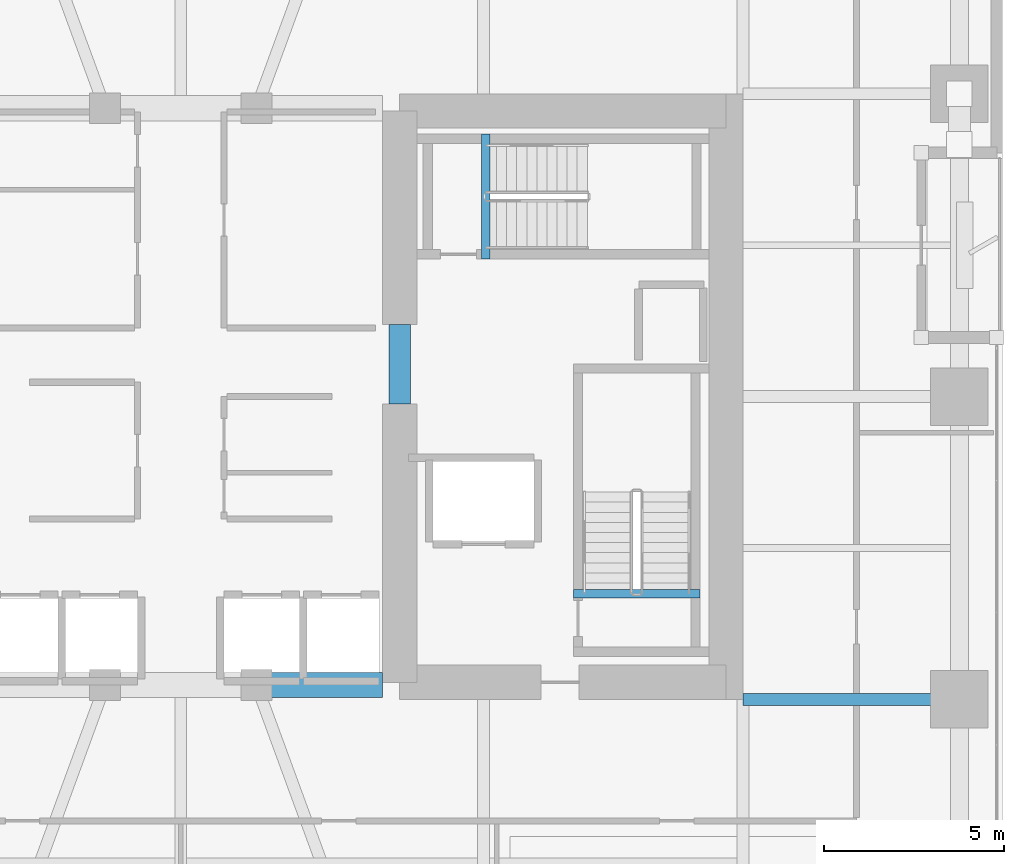
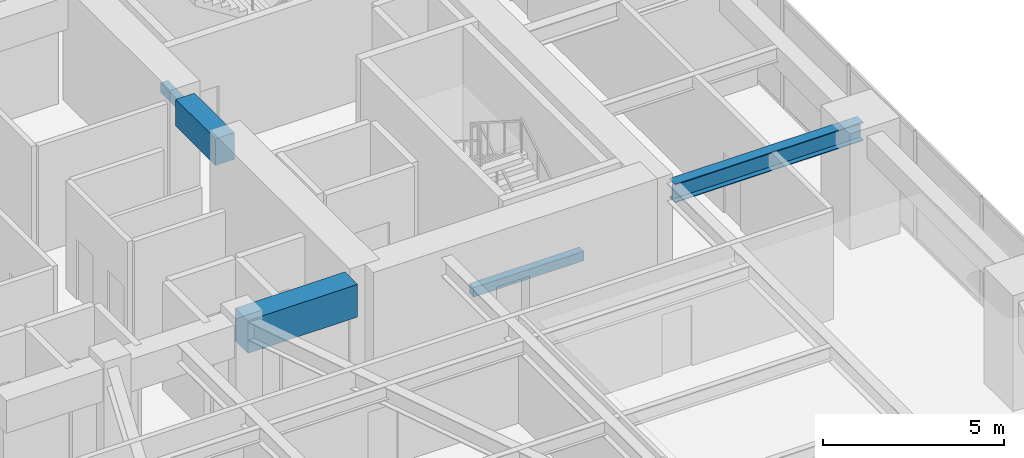
# One storey, part 5 of 24: 5 beams.
"""IFC4 building model written with IfcOpenShell, lengths in metres."""

from ifc_helpers import new_model, si_unit, direction, frame, origin, origin_2d, place, context, subcontext, project, spatial, rectangle, i_section, extrude, material, material_profile, profile_set, type_object, element, save


model = new_model("IFC4")

# Units and contexts
model_context = context("Model", 3, precision=1e-05, world=origin(), true_north=direction((0.0, 1.0)))
body_context = subcontext(model_context, "Body", "Model", "MODEL_VIEW")
ifc_project = project(units=[si_unit("LENGTHUNIT", "METRE"), si_unit("AREAUNIT", "SQUARE_METRE"), si_unit("VOLUMEUNIT", "CUBIC_METRE"), si_unit("PLANEANGLEUNIT", "RADIAN"), si_unit("MASSUNIT", "GRAM", prefix="KILO")], contexts=[model_context])

# Site, building, storey
site_placement = place(None, origin())
site = spatial("IfcSite", under=ifc_project, at=site_placement, CompositionType="ELEMENT")
building_placement = place(site_placement, origin())
building = spatial("IfcBuilding", under=site, at=building_placement, Name="Kiyonajd Concourse Tower", CompositionType="ELEMENT")
storey_placement = place(building_placement, frame((0.0, 0.0, 85.800048828125)))
storey = spatial("IfcBuildingStorey", under=building, at=storey_placement, Name="L22", CompositionType="ELEMENT", Elevation=85.800048828125)

# Beams
ifc_material_1 = material(Name="Concrete C70/85", Category="concrete")
ifc_material_profile_1 = material_profile(ifc_material_1, rectangle(XDim=0.699951171875, YDim=1.10009765625, at=origin_2d()), Name="RCBM-700x1100")
ifc_profile_set_1 = profile_set([ifc_material_profile_1], Name="Concrete C70/85")
beam_type_1 = type_object("IfcBeamType", Name="BM-COUP-1100", PredefinedType="LINTEL", material=ifc_profile_set_1)
beam_1_placement = place(storey_placement, frame((50.10009765625, 28.0, 3.08984375), z_axis=(1.0, 0.0, 0.0), x_axis=(0.0, 1.0, 0.0)))
element("IfcBeam", 1, at=beam_1_placement, inside=storey, type_object=beam_type_1, Name="L22 Core Coupling Beam S3", PredefinedType="LINTEL", context=body_context, shape_type="SweptSolid", body=[
    extrude(rectangle(XDim=0.699951171875, YDim=1.10009765625, at=origin_2d()), origin(), (0.0, 0.0, 1.0), 3.5),
])
ifc_material_2 = material(Name="Concrete C60/75", Category="concrete")
ifc_material_profile_2 = material_profile(ifc_material_2, rectangle(XDim=0.60009765625, YDim=0.89990234375, at=origin_2d()), Name="RCBM-600x900")
ifc_profile_set_2 = profile_set([ifc_material_profile_2], Name="Concrete C60/75")
beam_type_2 = type_object("IfcBeamType", Name="BM-COUP-900", PredefinedType="LINTEL", material=ifc_profile_set_2)
beam_2_placement = place(storey_placement, frame((54.074951171875, 35.800048828125, 3.08984375), z_axis=(0.0, 1.0, 0.0), x_axis=(-1.0, 0.0, 0.0)))
element("IfcBeam", 2, at=beam_2_placement, inside=storey, type_object=beam_type_2, Name="L22 East Core Throat Coupling Lintel", PredefinedType="LINTEL", context=body_context, shape_type="SweptSolid", body=[
    extrude(rectangle(XDim=0.60009765625, YDim=0.89990234375, at=origin_2d()), origin(), (0.0, 0.0, 1.0), 2.199951171875),
])
ifc_material_3 = material(Name="Concrete C50/60", Category="concrete")
ifc_material_profile_3 = material_profile(ifc_material_3, rectangle(XDim=0.239990234375, YDim=0.320068359375, at=origin_2d()), Name="RCBM-240x320")
ifc_profile_set_3 = profile_set([ifc_material_profile_3], Name="Concrete C50/60")
beam_type_3 = type_object("IfcBeamType", Name="BM-LNT-250", PredefinedType="LINTEL", material=ifc_profile_set_3)
beam_3_placement = place(storey_placement, frame((58.889892578125, 30.530029296875, -0.16015625), z_axis=(1.0, 0.0, 0.0), x_axis=(0.0, 1.0, 0.0)))
element("IfcBeam", 3, at=beam_3_placement, inside=storey, type_object=beam_type_3, Name="L22 Stair ST2 Threshold Support Beam", PredefinedType="LINTEL", context=body_context, shape_type="SweptSolid", body=[
    extrude(rectangle(XDim=0.239990234375, YDim=0.320068359375, at=origin_2d()), origin(), (0.0, 0.0, 1.0), 3.52001953125),
])
beam_4_placement = place(storey_placement, frame((56.4599609375, 39.820068359375, -0.16015625), z_axis=(0.0, 1.0, 0.0), x_axis=(-1.0, 0.0, 0.0)))
element("IfcBeam", 4, at=beam_4_placement, inside=storey, type_object=beam_type_3, Name="L22 Stair ST3 Threshold Support Beam", PredefinedType="LINTEL", context=body_context, shape_type="SweptSolid", body=[
    extrude(rectangle(XDim=0.239990234375, YDim=0.320068359375, at=origin_2d()), origin(), (0.0, 0.0, 1.0), 3.4599609375),
])
ifc_material_4 = material(Name="Steel ASTM A992 Grade 50", Category="steel")
ifc_material_profile_4 = material_profile(ifc_material_4, i_section(OverallWidth=0.326904296875, OverallDepth=0.6220703125, WebThickness=0.015380859375, FlangeThickness=0.0244140625, at=origin_2d()), Name="W610X195")
ifc_profile_set_4 = profile_set([ifc_material_profile_4], Name="Steel ASTM A992 Grade 50")
beam_type_4 = type_object("IfcBeamType", Name="BM-TWR-610A", PredefinedType="BEAM", material=ifc_profile_set_4)
beam_5_placement = place(storey_placement, frame((63.60009765625, 27.60009765625, 3.328857421875), z_axis=(1.0, 0.0, 0.0), x_axis=(0.0, 1.0, 0.0)))
element("IfcBeam", 5, at=beam_5_placement, inside=storey, type_object=beam_type_4, Name="L22 East Lease Girder", PredefinedType="BEAM", context=body_context, shape_type="SweptSolid", body=[
    extrude(i_section(OverallWidth=0.326904296875, OverallDepth=0.6220703125, WebThickness=0.015380859375, FlangeThickness=0.0244140625, at=origin_2d()), origin(), (0.0, 0.0, 1.0), 6.0),
])

save(model, "model.ifc")
